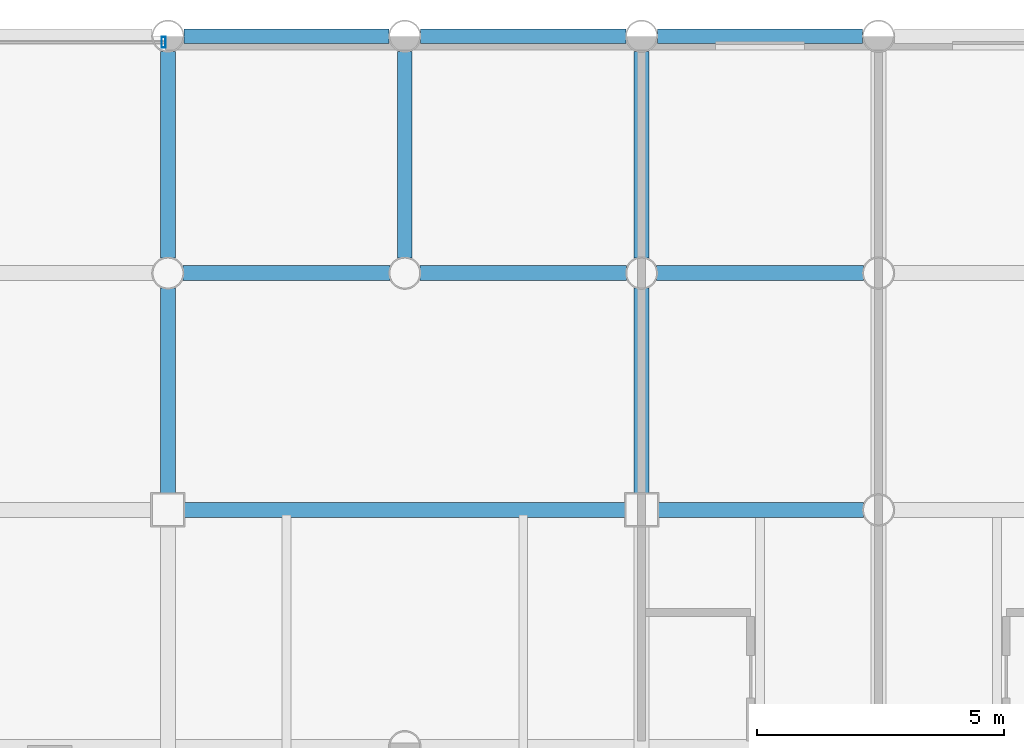
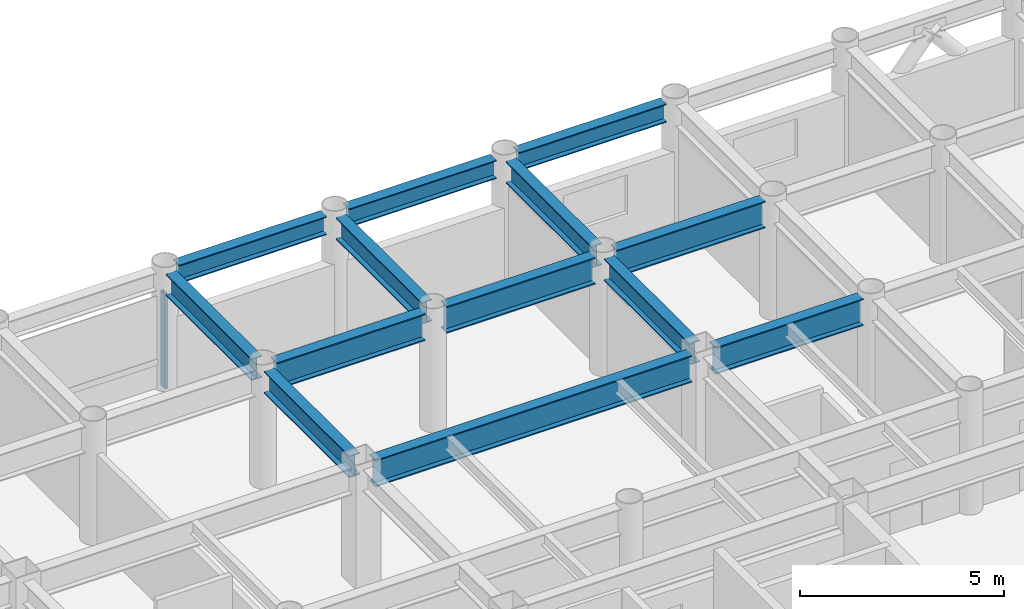
# One storey, part 13 of 22: 13 beams, 1 member, 1 element without a shape of its own.
"""IFC4 building model written with IfcOpenShell, lengths in metres."""

from ifc_helpers import new_model, si_unit, direction, frame, origin, origin_2d, place, context, subcontext, project, spatial, hollow_rectangle, i_section, extrude, material, layer, layer_set, material_profile, profile_set, type_object, element, aggregate, save


model = new_model("IFC4")

# Units and contexts
model_context = context("Model", 3, precision=1e-05, world=origin(), true_north=direction((0.0, 1.0)))
body_context = subcontext(model_context, "Body", "Model", "MODEL_VIEW")
ifc_project = project(units=[si_unit("LENGTHUNIT", "METRE"), si_unit("AREAUNIT", "SQUARE_METRE"), si_unit("VOLUMEUNIT", "CUBIC_METRE"), si_unit("PLANEANGLEUNIT", "RADIAN"), si_unit("MASSUNIT", "GRAM", prefix="KILO")], contexts=[model_context])

# Site, building, storey
site_placement = place(None, origin())
site = spatial("IfcSite", under=ifc_project, at=site_placement, CompositionType="ELEMENT")
building_placement = place(site_placement, origin())
building = spatial("IfcBuilding", under=site, at=building_placement, Name="Kallvorn Hotel Tower", CompositionType="ELEMENT")
storey_placement = place(building_placement, frame((0.0, 0.0, 102.60009765625)))
storey = spatial("IfcBuildingStorey", under=building, at=storey_placement, Name="L24", CompositionType="ELEMENT", Elevation=102.60009765625)

# Beams
ifc_material_1 = material(Name="Structural steel S355JR", Category="steel")
ifc_material_profile_1 = material_profile(ifc_material_1, i_section(OverallWidth=0.300048828125, OverallDepth=0.550048828125, WebThickness=0.014892578125, FlangeThickness=0.029052734375, at=origin_2d()), Name="HE 550 B")
ifc_profile_set_1 = profile_set([ifc_material_profile_1], Name="Structural steel S355JR")
beam_type_1 = type_object("IfcBeamType", Name="BM_HE550B", PredefinedType="SPANDREL", material=ifc_profile_set_1)
beam_1_placement = place(storey_placement, frame((5.1201171875, 24.0, 3.244873046875), z_axis=(1.0, 0.0, 0.0), x_axis=(0.0, 1.0, 0.0)))
element("IfcBeam", 1, at=beam_1_placement, inside=storey, type_object=beam_type_1, Name="L25 Perimeter Spandrel 169", PredefinedType="SPANDREL", context=body_context, shape_type="SweptSolid", body=[
    extrude(i_section(OverallWidth=0.300048828125, OverallDepth=0.550048828125, WebThickness=0.014892578125, FlangeThickness=0.029052734375, at=origin_2d()), origin(), (0.0, 0.0, 1.0), 4.159912109375),
])
beam_2_placement = place(storey_placement, frame((9.919921875, 24.0, 3.244873046875), z_axis=(1.0, 0.0, 0.0), x_axis=(0.0, 1.0, 0.0)))
element("IfcBeam", 2, at=beam_2_placement, inside=storey, type_object=beam_type_1, Name="L25 Perimeter Spandrel 170", PredefinedType="SPANDREL", context=body_context, shape_type="SweptSolid", body=[
    extrude(i_section(OverallWidth=0.300048828125, OverallDepth=0.550048828125, WebThickness=0.014892578125, FlangeThickness=0.029052734375, at=origin_2d()), origin(), (0.0, 0.0, 1.0), 4.16015625),
])
beam_3_placement = place(storey_placement, frame((14.719970703125, 24.0, 3.244873046875), z_axis=(1.0, 0.0, 0.0), x_axis=(0.0, 1.0, 0.0)))
element("IfcBeam", 3, at=beam_3_placement, inside=storey, type_object=beam_type_1, Name="L25 Perimeter Spandrel 171", PredefinedType="SPANDREL", context=body_context, shape_type="SweptSolid", body=[
    extrude(i_section(OverallWidth=0.300048828125, OverallDepth=0.550048828125, WebThickness=0.014892578125, FlangeThickness=0.029052734375, at=origin_2d()), origin(), (0.0, 0.0, 1.0), 4.159912109375),
])
ifc_material_2 = material(Name="Structural steel S355JR", Category="steel")
ifc_material_profile_2 = material_profile(ifc_material_2, i_section(OverallWidth=0.300048828125, OverallDepth=0.64990234375, WebThickness=0.01611328125, FlangeThickness=0.031005859375, at=origin_2d()), Name="HE 650 B")
ifc_profile_set_2 = profile_set([ifc_material_profile_2], Name="Structural steel S355JR")
beam_type_2 = type_object("IfcBeamType", Name="BM_HE650B", PredefinedType="BEAM", material=ifc_profile_set_2)
beam_4_placement = place(storey_placement, frame((4.800048828125, 14.72509765625, 3.19482421875), z_axis=(0.0, 1.0, 0.0), x_axis=(-1.0, 0.0, 0.0)))
element("IfcBeam", 4, at=beam_4_placement, inside=storey, type_object=beam_type_2, Name="L25 Primary Y-Girder 116", PredefinedType="BEAM", context=body_context, shape_type="SweptSolid", body=[
    extrude(i_section(OverallWidth=0.300048828125, OverallDepth=0.64990234375, WebThickness=0.01611328125, FlangeThickness=0.031005859375, at=origin_2d()), origin(), (0.0, 0.0, 1.0), 4.169921875),
])
for number, where, z_axis, x_axis, name in (
    (5, (4.800048828125, 19.5048828125, 3.19482421875), (0.0, 1.0, 0.0), (-1.0, 0.0, 0.0), "L25 Primary Y-Girder 117"),
    (6, (9.60009765625, 19.5048828125, 3.19482421875), (0.0, 1.0, 0.0), (-1.0, 0.0, 0.0), "L25 Primary Y-Girder 120"),
):
    element("IfcBeam", number, at=place(storey_placement, frame(where, z_axis=z_axis, x_axis=x_axis)), inside=storey, type_object=beam_type_2, Name=name, PredefinedType="BEAM", context=body_context, shape_type="SweptSolid", body=[
        extrude(i_section(OverallWidth=0.300048828125, OverallDepth=0.64990234375, WebThickness=0.01611328125, FlangeThickness=0.031005859375, at=origin_2d()), origin(), (0.0, 0.0, 1.0), 4.190185546875),
    ])
beam_5_placement = place(storey_placement, frame((14.39990234375, 14.72509765625, 3.19482421875), z_axis=(0.0, 1.0, 0.0), x_axis=(-1.0, 0.0, 0.0)))
element("IfcBeam", 7, at=beam_5_placement, inside=storey, type_object=beam_type_2, Name="L25 Primary Y-Girder 124", PredefinedType="BEAM", context=body_context, shape_type="SweptSolid", body=[
    extrude(i_section(OverallWidth=0.300048828125, OverallDepth=0.64990234375, WebThickness=0.01611328125, FlangeThickness=0.031005859375, at=origin_2d()), origin(), (0.0, 0.0, 1.0), 4.169921875),
])
beam_6_placement = place(storey_placement, frame((14.39990234375, 19.5048828125, 3.19482421875), z_axis=(0.0, 1.0, 0.0), x_axis=(-1.0, 0.0, 0.0)))
element("IfcBeam", 8, at=beam_6_placement, inside=storey, type_object=beam_type_2, Name="L25 Primary Y-Girder 125", PredefinedType="BEAM", context=body_context, shape_type="SweptSolid", body=[
    extrude(i_section(OverallWidth=0.300048828125, OverallDepth=0.64990234375, WebThickness=0.01611328125, FlangeThickness=0.031005859375, at=origin_2d()), origin(), (0.0, 0.0, 1.0), 4.190185546875),
])
ifc_material_3 = material(Name="Structural steel S355JR", Category="steel")
ifc_material_profile_3 = material_profile(ifc_material_3, i_section(OverallWidth=0.300048828125, OverallDepth=0.800048828125, WebThickness=0.017578125, FlangeThickness=0.032958984375, at=origin_2d()), Name="HE 800 B")
ifc_profile_set_3 = profile_set([ifc_material_profile_3], Name="Structural steel S355JR")
beam_type_3 = type_object("IfcBeamType", Name="BM_HE800B", PredefinedType="BEAM", material=ifc_profile_set_3)
beam_7_placement = place(storey_placement, frame((5.125, 14.39990234375, 3.119873046875), z_axis=(1.0, 0.0, 0.0), x_axis=(0.0, 1.0, 0.0)))
element("IfcBeam", 9, at=beam_7_placement, inside=storey, type_object=beam_type_3, Name="L25 Primary X-Girder 55", PredefinedType="BEAM", context=body_context, shape_type="SweptSolid", body=[
    extrude(i_section(OverallWidth=0.300048828125, OverallDepth=0.800048828125, WebThickness=0.017578125, FlangeThickness=0.032958984375, at=origin_2d()), origin(), (0.0, 0.0, 1.0), 8.949951171875),
])
beam_8_placement = place(storey_placement, frame((14.72509765625, 14.39990234375, 3.119873046875), z_axis=(1.0, 0.0, 0.0), x_axis=(0.0, 1.0, 0.0)))
element("IfcBeam", 10, at=beam_8_placement, inside=storey, type_object=beam_type_3, Name="L25 Primary X-Girder 56", PredefinedType="BEAM", context=body_context, shape_type="SweptSolid", body=[
    extrude(i_section(OverallWidth=0.300048828125, OverallDepth=0.800048828125, WebThickness=0.017578125, FlangeThickness=0.032958984375, at=origin_2d()), origin(), (0.0, 0.0, 1.0), 4.169921875),
])
for number, where, z_axis, x_axis, name in (
    (11, (5.10498046875, 19.199951171875, 3.119873046875), (1.0, 0.0, 0.0), (0.0, 1.0, 0.0), "L25 Primary X-Girder 67"),
    (12, (9.905029296875, 19.199951171875, 3.119873046875), (1.0, 0.0, 0.0), (0.0, 1.0, 0.0), "L25 Primary X-Girder 68"),
    (13, (14.705078125, 19.199951171875, 3.119873046875), (1.0, 0.0, 0.0), (0.0, 1.0, 0.0), "L25 Primary X-Girder 69"),
):
    element("IfcBeam", number, at=place(storey_placement, frame(where, z_axis=z_axis, x_axis=x_axis)), inside=storey, type_object=beam_type_3, Name=name, PredefinedType="BEAM", context=body_context, shape_type="SweptSolid", body=[
        extrude(i_section(OverallWidth=0.300048828125, OverallDepth=0.800048828125, WebThickness=0.017578125, FlangeThickness=0.032958984375, at=origin_2d()), origin(), (0.0, 0.0, 1.0), 4.18994140625),
    ])

# Curtain wall, member
ifc_material_4 = material(Name="Thermally broken black-anodised aluminium AA 6063-T6", Category="aluminium")
ifc_layer = layer(ifc_material_4, 0.199951171875)
ifc_layer_set = layer_set([ifc_layer], Name="CW_SYS_3_HOTEL_LOW")
curtain_wall_type = type_object("IfcCurtainWallType", Name="CW_SYS_3_HOTEL_LOW", PredefinedType="USERDEFINED", material=ifc_layer_set)
curtain_wall_placement = place(storey_placement, origin())
curtain_wall = element("IfcCurtainWall", 14, at=curtain_wall_placement, inside=storey, type_object=curtain_wall_type, Name="L24 Dark-Glass Curtain Wall CW-L24-NC", ObjectType="UNITISED CURTAIN WALL", PredefinedType="USERDEFINED")
ifc_material_5 = material(Name="Thermally broken black-anodised aluminium AA 6063-T6", Category="aluminium")
ifc_material_profile_4 = material_profile(ifc_material_5, hollow_rectangle(XDim=0.080078125, YDim=0.219970703125, WallThickness=0.0048828125, at=origin_2d()), Name="MUL 220x80")
ifc_profile_set_4 = profile_set([ifc_material_profile_4], Name="Thermally broken black-anodised aluminium AA 6063-T6")
member_type = type_object("IfcMemberType", Name="CW_MULLION_220x80", PredefinedType="MULLION", material=ifc_profile_set_4)
member_placement = place(storey_placement, frame((4.7099609375, 23.8798828125, 0.02001953125), z_axis=(0.0, 0.0, 1.0), x_axis=(1.0, 0.0, 0.0)))
member = element("IfcMember", 15, at=member_placement, type_object=member_type, Name="CW-L24-NC Mullion 02", PredefinedType="MULLION", context=body_context, shape_type="SweptSolid", body=[
    extrude(hollow_rectangle(XDim=0.080078125, YDim=0.219970703125, WallThickness=0.0048828125, at=origin_2d()), origin(), (0.0, 0.0, 1.0), 2.829833984375),
])
aggregate(curtain_wall, [member])

save(model, "model.ifc")
